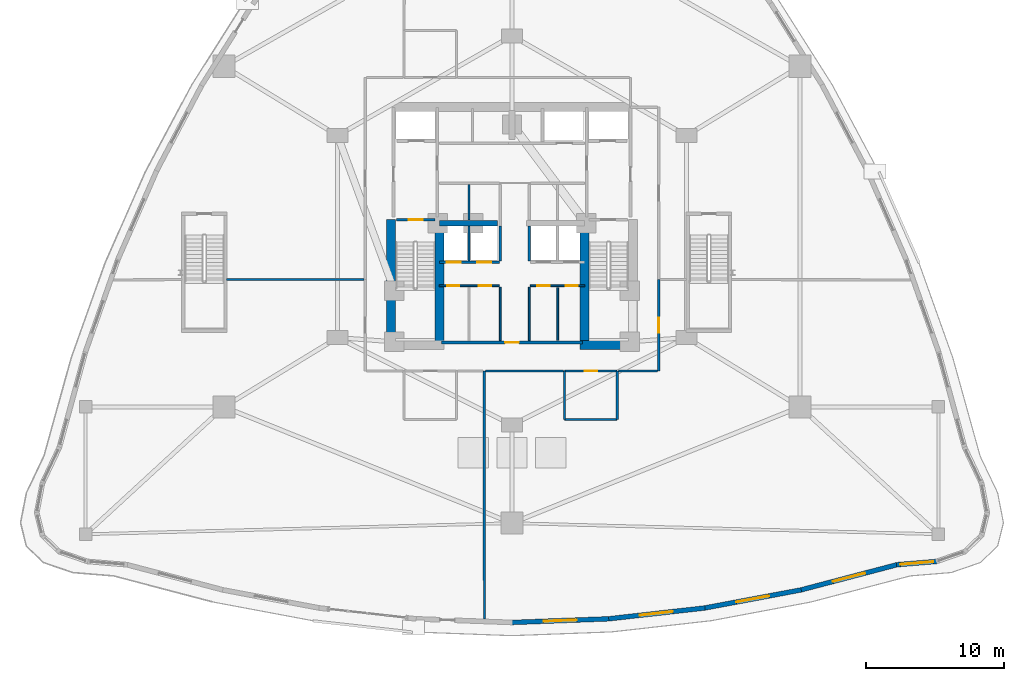
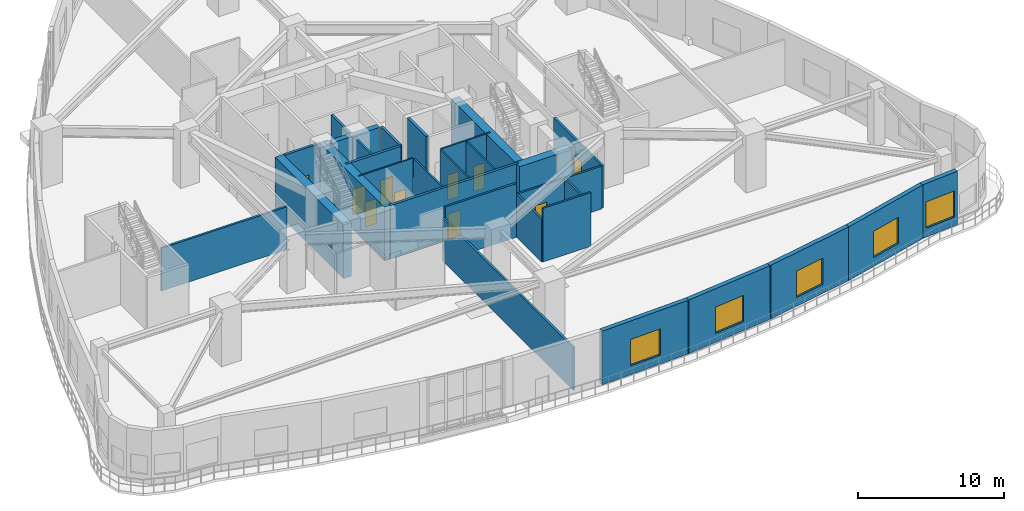
# One storey, part 16 of 23: 31 walls, 10 doors, 5 windows, 15 openings.
"""IFC4 building model written with IfcOpenShell, lengths in metres."""

from ifc_helpers import new_model, si_unit, direction, frame, frame_2d, origin, place, context, subcontext, project, spatial, rectangle, extrude, material, layer, layer_set, type_object, element, fill, save


model = new_model("IFC4")

# Units and contexts
model_context = context("Model", 3, precision=1e-05, world=origin(), true_north=direction((0.0, 1.0)))
body_context = subcontext(model_context, "Body", "Model", "MODEL_VIEW")
ifc_project = project(units=[si_unit("LENGTHUNIT", "METRE"), si_unit("AREAUNIT", "SQUARE_METRE"), si_unit("VOLUMEUNIT", "CUBIC_METRE"), si_unit("PLANEANGLEUNIT", "RADIAN"), si_unit("MASSUNIT", "GRAM", prefix="KILO")], contexts=[model_context])

# Site, building, storey
site_placement = place(None, origin())
site = spatial("IfcSite", under=ifc_project, at=site_placement, CompositionType="ELEMENT")
building_placement = place(site_placement, origin())
building = spatial("IfcBuilding", under=site, at=building_placement, Name="Miruveldt Soraemaru", CompositionType="ELEMENT")
storey_placement = place(building_placement, frame((0.0, 0.0, 9.60009765625)))
storey = spatial("IfcBuildingStorey", under=building, at=storey_placement, Name="L03", CompositionType="ELEMENT", Elevation=9.60009765625)

# Walls
ifc_material_1 = material(Name="Concrete C70/85 (70 MPa)", Category="concrete")
ifc_layer_1 = layer(ifc_material_1, 0.5, Name="Concrete C70/85 (70 MPa)", Category="concrete")
ifc_layer_set_1 = layer_set([ifc_layer_1], Name="Concrete C70/85 (70 MPa)")
wall_type_1 = type_object("IfcWallType", Name="WALL-BW-500", PredefinedType="SHEAR", material=ifc_layer_set_1)
wall_1_placement = place(storey_placement, frame((38.75, 44.050048828125, 0.0), z_axis=(0.0, 0.0, 1.0), x_axis=(1.0, 0.0, 0.0)))
element("IfcWall", 1, at=wall_1_placement, inside=storey, type_object=wall_type_1, Name="L03 Core Buttress Shear Wall BW", PredefinedType="SHEAR", context=body_context, shape_type="SweptSolid", body=[
    extrude(rectangle(XDim=4.199951171875, YDim=0.39990234375, at=frame_2d((2.10009765625, 0.0))), origin(), (0.0, 0.0, 1.0), 4.5),
])
ifc_material_2 = material(Name="Concrete C80/95 (80 MPa)", Category="concrete")
ifc_layer_2 = layer(ifc_material_2, 0.64990234375, Name="Concrete C80/95 (80 MPa)", Category="concrete")
ifc_layer_set_2 = layer_set([ifc_layer_2], Name="Concrete C80/95 (80 MPa)")
wall_type_2 = type_object("IfcWallType", Name="WALL-CW-650", PredefinedType="SHEAR", material=ifc_layer_set_2)
wall_2_placement = place(storey_placement, frame((48.89990234375, 35.27490234375, 0.0), z_axis=(0.0, 0.0, 1.0), x_axis=(1.0, 0.0, 0.0)))
element("IfcWall", 2, at=wall_2_placement, inside=storey, type_object=wall_type_2, Name="L03 Central Core Shear Wall S2", PredefinedType="SHEAR", context=body_context, shape_type="SweptSolid", body=[
    extrude(rectangle(XDim=4.150146484375, YDim=0.64990234375, at=frame_2d((2.0751953125, 0.0))), origin(), (0.0, 0.0, 1.0), 4.5),
])
wall_3_placement = place(storey_placement, frame((35.27490234375, 34.949951171875, 0.0), z_axis=(0.0, 0.0, 1.0), x_axis=(0.0, 1.0, 0.0)))
element("IfcWall", 3, at=wall_3_placement, inside=storey, type_object=wall_type_2, Name="L03 Central Core Shear Wall W1", PredefinedType="SHEAR", context=body_context, shape_type="SweptSolid", body=[
    extrude(rectangle(XDim=9.400146484375, YDim=0.64990234375, at=frame_2d((4.7001953125, 0.0))), origin(), (0.0, 0.0, 1.0), 4.5),
])
for number, where, z_axis, x_axis, name in (
    (4, (38.77490234375, 35.39990234375, 0.0), (0.0, 0.0, 1.0), (0.0, 1.0, 0.0), "L03 Central Core Shear Wall SW-INT"),
    (5, (49.22509765625, 35.39990234375, 0.0), (0.0, 0.0, 1.0), (0.0, 1.0, 0.0), "L03 Central Core Shear Wall SE-INT"),
):
    element("IfcWall", number, at=place(storey_placement, frame(where, z_axis=z_axis, x_axis=x_axis)), inside=storey, type_object=wall_type_2, Name=name, PredefinedType="SHEAR", context=body_context, shape_type="SweptSolid", body=[
        extrude(rectangle(XDim=8.9501953125, YDim=0.64990234375, at=frame_2d((4.47509765625, 0.0))), origin(), (0.0, 0.0, 1.0), 4.5),
    ])

# Wall, opening, window
ifc_material_3 = material(Name="Precast concrete C45/55 (45 MPa)", Category="concrete")
ifc_layer_3 = layer(ifc_material_3, 0.340087890625, Name="Precast concrete C45/55 (45 MPa)", Category="concrete")
ifc_layer_set_3 = layer_set([ifc_layer_3], Name="Precast concrete C45/55 (45 MPa)")
wall_type_3 = type_object("IfcWallType", Name="WALL-EXT-PC340", PredefinedType="SOLIDWALL", material=ifc_layer_set_3)
wall_4_placement = place(storey_placement, frame((43.965087890625, 15.226806640625, 0.0), z_axis=(0.0, 0.0, 1.0), x_axis=(0.999298607245, 0.037447210297, 0.0)))
wall_4 = element("IfcWall", 6, at=wall_4_placement, inside=storey, type_object=wall_type_3, Name="L03 Precast Concrete Facade Wall 25", PredefinedType="SOLIDWALL", context=body_context, shape_type="SweptSolid", body=[
    extrude(rectangle(XDim=7.028076171875, YDim=0.340087890625, at=frame_2d((3.51416015625, 0.0))), origin(), (0.0, 0.0, 1.0), 4.5),
])
opening_1_placement = place(wall_4_placement, frame((2.31396484375, 0.0, 0.75)))
opening_1 = element("IfcOpeningElement", 7, at=opening_1_placement, cuts=wall_4, Name="Opening WN-5", PredefinedType="OPENING", context=body_context, shape_type="SweptSolid", body=[
    extrude(rectangle(XDim=2.39990234375, YDim=2.199951171875, at=frame_2d((1.199951171875, 1.10009765625))), frame((0.0, 0.18017578125, 0.0), z_axis=(0.0, -1.0, 0.0), x_axis=(1.0, 0.0, 0.0)), (0.0, 0.0, 1.0), 0.360107421875),
])
ifc_material_4 = material(Name="Triple low-e insulated glazing", Category="glass")
window_type = type_object("IfcWindowType", Name="WIN-PODM-2400x2200", PartitioningType="SINGLE_PANEL", PredefinedType="WINDOW", material=ifc_material_4)
window_1_placement = place(opening_1_placement, origin())
window_1 = element("IfcWindow", 8, at=window_1_placement, inside=storey, type_object=window_type, Name="L03 Punched Triple-Glazed Window 25.1", OverallHeight=2.199951171875, OverallWidth=2.39990234375, PartitioningType="SINGLE_PANEL", PredefinedType="WINDOW", context=body_context, shape_type="SweptSolid", body=[
    extrude(rectangle(XDim=2.39990234375, YDim=2.199951171875, at=frame_2d((1.199951171875, 1.10009765625))), frame((0.0, 0.030029296875, 0.0), z_axis=(0.0, -1.0, 0.0), x_axis=(1.0, 0.0, 0.0)), (0.0, 0.0, 1.0), 0.06005859375),
])
fill(opening_1, window_1)

wall_5_placement = place(storey_placement, frame((50.91845703125, 15.48486328125, 0.0), z_axis=(0.0, 0.0, 1.0), x_axis=(0.993731987753, 0.111788803183, 0.0)))
wall_5 = element("IfcWall", 9, at=wall_5_placement, inside=storey, type_object=wall_type_3, Name="L03 Precast Concrete Facade Wall 26", PredefinedType="SOLIDWALL", context=body_context, shape_type="SweptSolid", body=[
    extrude(rectangle(XDim=7.067138671875, YDim=0.340087890625, at=frame_2d((3.53369140625, 0.0))), origin(), (0.0, 0.0, 1.0), 4.5),
])
opening_2_placement = place(wall_5_placement, frame((2.3330078125, 0.0, 0.75)))
opening_2 = element("IfcOpeningElement", 10, at=opening_2_placement, cuts=wall_5, Name="Opening WN-5", PredefinedType="OPENING", context=body_context, shape_type="SweptSolid", body=[
    extrude(rectangle(XDim=2.39990234375, YDim=2.199951171875, at=frame_2d((1.199951171875, 1.10009765625))), frame((0.0, 0.18017578125, 0.0), z_axis=(0.0, -1.0, 0.0), x_axis=(1.0, 0.0, 0.0)), (0.0, 0.0, 1.0), 0.360107421875),
])
window_2_placement = place(opening_2_placement, origin())
window_2 = element("IfcWindow", 11, at=window_2_placement, inside=storey, type_object=window_type, Name="L03 Punched Triple-Glazed Window 26.1", OverallHeight=2.199951171875, OverallWidth=2.39990234375, PartitioningType="SINGLE_PANEL", PredefinedType="WINDOW", context=body_context, shape_type="SweptSolid", body=[
    extrude(rectangle(XDim=2.39990234375, YDim=2.199951171875, at=frame_2d((1.199951171875, 1.10009765625))), frame((0.0, 0.030029296875, 0.0), z_axis=(0.0, -1.0, 0.0), x_axis=(1.0, 0.0, 0.0)), (0.0, 0.0, 1.0), 0.06005859375),
])
fill(opening_2, window_2)

wall_6_placement = place(storey_placement, frame((57.872314453125, 16.264404296875, 0.0), z_axis=(0.0, 0.0, 1.0), x_axis=(0.98286522281, 0.184325673174, 0.0)))
wall_6 = element("IfcWall", 12, at=wall_6_placement, inside=storey, type_object=wall_type_3, Name="L03 Precast Concrete Facade Wall 27", PredefinedType="SOLIDWALL", context=body_context, shape_type="SweptSolid", body=[
    extrude(rectangle(XDim=7.144287109375, YDim=0.340087890625, at=frame_2d((3.572265625, 0.0))), origin(), (0.0, 0.0, 1.0), 4.5),
])
opening_3_placement = place(wall_6_placement, frame((2.3720703125, 0.0, 0.75)))
opening_3 = element("IfcOpeningElement", 13, at=opening_3_placement, cuts=wall_6, Name="Opening WN-5", PredefinedType="OPENING", context=body_context, shape_type="SweptSolid", body=[
    extrude(rectangle(XDim=2.39990234375, YDim=2.199951171875, at=frame_2d((1.199951171875, 1.10009765625))), frame((0.0, 0.18017578125, 0.0), z_axis=(0.0, -1.0, 0.0), x_axis=(1.0, 0.0, 0.0)), (0.0, 0.0, 1.0), 0.360107421875),
])
window_3_placement = place(opening_3_placement, origin())
window_3 = element("IfcWindow", 14, at=window_3_placement, inside=storey, type_object=window_type, Name="L03 Punched Triple-Glazed Window 27.1", OverallHeight=2.199951171875, OverallWidth=2.39990234375, PartitioningType="SINGLE_PANEL", PredefinedType="WINDOW", context=body_context, shape_type="SweptSolid", body=[
    extrude(rectangle(XDim=2.39990234375, YDim=2.199951171875, at=frame_2d((1.199951171875, 1.10009765625))), frame((0.0, 0.030029296875, 0.0), z_axis=(0.0, -1.0, 0.0), x_axis=(1.0, 0.0, 0.0)), (0.0, 0.0, 1.0), 0.06005859375),
])
fill(opening_3, window_3)

wall_7_placement = place(storey_placement, frame((64.826171875, 17.56591796875, 0.0), z_axis=(0.0, 0.0, 1.0), x_axis=(0.967230758888, 0.253898915044, 0.0)))
wall_7 = element("IfcWall", 15, at=wall_7_placement, inside=storey, type_object=wall_type_3, Name="L03 Precast Concrete Facade Wall 28", PredefinedType="SOLIDWALL", context=body_context, shape_type="SweptSolid", body=[
    extrude(rectangle(XDim=7.2587890625, YDim=0.340087890625, at=frame_2d((3.62939453125, 0.0))), origin(), (0.0, 0.0, 1.0), 4.5),
])
opening_4_placement = place(wall_7_placement, frame((2.428955078125, 0.0, 0.75)))
opening_4 = element("IfcOpeningElement", 16, at=opening_4_placement, cuts=wall_7, Name="Opening WN-5", PredefinedType="OPENING", context=body_context, shape_type="SweptSolid", body=[
    extrude(rectangle(XDim=2.39990234375, YDim=2.199951171875, at=frame_2d((1.199951171875, 1.10009765625))), frame((0.0, 0.18017578125, 0.0), z_axis=(0.0, -1.0, 0.0), x_axis=(1.0, 0.0, 0.0)), (0.0, 0.0, 1.0), 0.360107421875),
])
window_4_placement = place(opening_4_placement, origin())
window_4 = element("IfcWindow", 17, at=window_4_placement, inside=storey, type_object=window_type, Name="L03 Punched Triple-Glazed Window 28.1", OverallHeight=2.199951171875, OverallWidth=2.39990234375, PartitioningType="SINGLE_PANEL", PredefinedType="WINDOW", context=body_context, shape_type="SweptSolid", body=[
    extrude(rectangle(XDim=2.39990234375, YDim=2.199951171875, at=frame_2d((1.199951171875, 1.10009765625))), frame((0.0, 0.030029296875, 0.0), z_axis=(0.0, -1.0, 0.0), x_axis=(1.0, 0.0, 0.0)), (0.0, 0.0, 1.0), 0.06005859375),
])
fill(opening_4, window_4)

wall_8_placement = place(storey_placement, frame((71.7783203125, 19.397216796875, 0.0), z_axis=(0.0, 0.0, 1.0), x_axis=(0.996619489458, 0.082155908085, 0.0)))
wall_8 = element("IfcWall", 18, at=wall_8_placement, inside=storey, type_object=wall_type_3, Name="L03 Precast Concrete Facade Wall 29", PredefinedType="SOLIDWALL", context=body_context, shape_type="SweptSolid", body=[
    extrude(rectangle(XDim=2.93017578125, YDim=0.340087890625, at=frame_2d((1.465087890625, 0.0))), origin(), (0.0, 0.0, 1.0), 4.5),
])
opening_5_placement = place(wall_8_placement, frame((0.264892578125, 0.0, 0.75)))
opening_5 = element("IfcOpeningElement", 19, at=opening_5_placement, cuts=wall_8, Name="Opening WN-5", PredefinedType="OPENING", context=body_context, shape_type="SweptSolid", body=[
    extrude(rectangle(XDim=2.39990234375, YDim=2.199951171875, at=frame_2d((1.199951171875, 1.10009765625))), frame((0.0, 0.18017578125, 0.0), z_axis=(0.0, -1.0, 0.0), x_axis=(1.0, 0.0, 0.0)), (0.0, 0.0, 1.0), 0.360107421875),
])
window_5_placement = place(opening_5_placement, origin())
window_5 = element("IfcWindow", 20, at=window_5_placement, inside=storey, type_object=window_type, Name="L03 Punched Triple-Glazed Window 29.1", OverallHeight=2.199951171875, OverallWidth=2.39990234375, PartitioningType="SINGLE_PANEL", PredefinedType="WINDOW", context=body_context, shape_type="SweptSolid", body=[
    extrude(rectangle(XDim=2.39990234375, YDim=2.199951171875, at=frame_2d((1.199951171875, 1.10009765625))), frame((0.0, 0.030029296875, 0.0), z_axis=(0.0, -1.0, 0.0), x_axis=(1.0, 0.0, 0.0)), (0.0, 0.0, 1.0), 0.06005859375),
])
fill(opening_5, window_5)

# Wall, openings, doors
ifc_material_5 = material(Name="Gypsum plasterboard lining", Category="gypsum")
ifc_layer_4 = layer(ifc_material_5, 0.1201171875, Name="Gypsum plasterboard lining", Category="gypsum")
ifc_layer_set_4 = layer_set([ifc_layer_4], Name="Gypsum plasterboard lining")
wall_type_4 = type_object("IfcWallType", Name="WALL-INT-P120", PredefinedType="PARTITIONING", material=ifc_layer_set_4)
wall_9_placement = place(storey_placement, frame((38.75, 39.550048828125, 0.0), z_axis=(0.0, 0.0, 1.0), x_axis=(1.0, 0.0, 0.0)))
wall_9 = element("IfcWall", 21, at=wall_9_placement, inside=storey, type_object=wall_type_4, Name="L03 Core Compartment Wall CSW-N", PredefinedType="PARTITIONING", context=body_context, shape_type="SweptSolid", body=[
    extrude(rectangle(XDim=4.330078125, YDim=0.1201171875, at=frame_2d((2.1650390625, 0.0))), origin(), (0.0, 0.0, 1.0), 4.5),
])
opening_6_placement = place(wall_9_placement, frame((0.56005859375, 0.0, 0.0)))
opening_6 = element("IfcOpeningElement", 22, at=opening_6_placement, cuts=wall_9, Name="Opening D4", PredefinedType="OPENING", context=body_context, shape_type="SweptSolid", body=[
    extrude(rectangle(XDim=0.8798828125, YDim=2.10009765625, at=frame_2d((0.43994140625, 1.050048828125))), frame((0.0, 0.070068359375, 0.0), z_axis=(0.0, -1.0, 0.0), x_axis=(1.0, 0.0, 0.0)), (0.0, 0.0, 1.0), 0.14013671875),
])
opening_7_placement = place(wall_9_placement, frame((2.860107421875, 0.0, 0.0)))
opening_7 = element("IfcOpeningElement", 23, at=opening_7_placement, cuts=wall_9, Name="Opening D4", PredefinedType="OPENING", context=body_context, shape_type="SweptSolid", body=[
    extrude(rectangle(XDim=0.8798828125, YDim=2.10009765625, at=frame_2d((0.43994140625, 1.050048828125))), frame((0.0, 0.070068359375, 0.0), z_axis=(0.0, -1.0, 0.0), x_axis=(1.0, 0.0, 0.0)), (0.0, 0.0, 1.0), 0.14013671875),
])
ifc_material_6 = material(Name="Anodised aluminium EN AW-6063 T6", Category="aluminium")
door_type_1 = type_object("IfcDoorType", Name="DOOR-INT-880", OperationType="NOTDEFINED", PredefinedType="DOOR", material=ifc_material_6)
door_1_placement = place(opening_6_placement, origin())
door_1 = element("IfcDoor", 24, at=door_1_placement, inside=storey, type_object=door_type_1, Name="L03 Fire Door", OperationType="SINGLE_SWING_LEFT", OverallHeight=2.10009765625, OverallWidth=0.8798828125, PredefinedType="DOOR", context=body_context, shape_type="SweptSolid", body=[
    extrude(rectangle(XDim=0.8798828125, YDim=2.10009765625, at=frame_2d((0.43994140625, 1.050048828125))), frame((0.0, 0.02490234375, 0.0), z_axis=(0.0, -1.0, 0.0), x_axis=(1.0, 0.0, 0.0)), (0.0, 0.0, 1.0), 0.050048828125),
])
fill(opening_6, door_1)
door_2_placement = place(opening_7_placement, origin())
door_2 = element("IfcDoor", 25, at=door_2_placement, inside=storey, type_object=door_type_1, Name="L03 Fire Door", OperationType="SINGLE_SWING_LEFT", OverallHeight=2.10009765625, OverallWidth=0.8798828125, PredefinedType="DOOR", context=body_context, shape_type="SweptSolid", body=[
    extrude(rectangle(XDim=0.8798828125, YDim=2.10009765625, at=frame_2d((0.43994140625, 1.050048828125))), frame((0.0, 0.02490234375, 0.0), z_axis=(0.0, -1.0, 0.0), x_axis=(1.0, 0.0, 0.0)), (0.0, 0.0, 1.0), 0.050048828125),
])
fill(opening_7, door_2)

wall_10_placement = place(storey_placement, frame((45.320068359375, 39.550048828125, 0.0), z_axis=(0.0, 0.0, 1.0), x_axis=(1.0, 0.0, 0.0)))
wall_10 = element("IfcWall", 26, at=wall_10_placement, inside=storey, type_object=wall_type_4, Name="L03 Core Compartment Wall CSE-N", PredefinedType="PARTITIONING", context=body_context, shape_type="SweptSolid", body=[
    extrude(rectangle(XDim=3.929931640625, YDim=0.1201171875, at=frame_2d((1.96484375, 0.0))), origin(), (0.0, 0.0, 1.0), 4.5),
])
opening_8_placement = place(wall_10_placement, frame((0.510009765625, 0.0, 0.0)))
opening_8 = element("IfcOpeningElement", 27, at=opening_8_placement, cuts=wall_10, Name="Opening D4", PredefinedType="OPENING", context=body_context, shape_type="SweptSolid", body=[
    extrude(rectangle(XDim=0.8798828125, YDim=2.10009765625, at=frame_2d((0.43994140625, 1.050048828125))), frame((0.0, 0.070068359375, 0.0), z_axis=(0.0, -1.0, 0.0), x_axis=(1.0, 0.0, 0.0)), (0.0, 0.0, 1.0), 0.14013671875),
])
opening_9_placement = place(wall_10_placement, frame((2.56005859375, 0.0, 0.0)))
opening_9 = element("IfcOpeningElement", 28, at=opening_9_placement, cuts=wall_10, Name="Opening D4", PredefinedType="OPENING", context=body_context, shape_type="SweptSolid", body=[
    extrude(rectangle(XDim=0.8798828125, YDim=2.10009765625, at=frame_2d((0.43994140625, 1.050048828125))), frame((0.0, 0.070068359375, 0.0), z_axis=(0.0, -1.0, 0.0), x_axis=(1.0, 0.0, 0.0)), (0.0, 0.0, 1.0), 0.14013671875),
])
door_3_placement = place(opening_8_placement, origin())
door_3 = element("IfcDoor", 29, at=door_3_placement, inside=storey, type_object=door_type_1, Name="L03 Fire Door", OperationType="SINGLE_SWING_LEFT", OverallHeight=2.10009765625, OverallWidth=0.8798828125, PredefinedType="DOOR", context=body_context, shape_type="SweptSolid", body=[
    extrude(rectangle(XDim=0.8798828125, YDim=2.10009765625, at=frame_2d((0.43994140625, 1.050048828125))), frame((0.0, 0.02490234375, 0.0), z_axis=(0.0, -1.0, 0.0), x_axis=(1.0, 0.0, 0.0)), (0.0, 0.0, 1.0), 0.050048828125),
])
fill(opening_8, door_3)
door_4_placement = place(opening_9_placement, origin())
door_4 = element("IfcDoor", 30, at=door_4_placement, inside=storey, type_object=door_type_1, Name="L03 Fire Door", OperationType="SINGLE_SWING_LEFT", OverallHeight=2.10009765625, OverallWidth=0.8798828125, PredefinedType="DOOR", context=body_context, shape_type="SweptSolid", body=[
    extrude(rectangle(XDim=0.8798828125, YDim=2.10009765625, at=frame_2d((0.43994140625, 1.050048828125))), frame((0.0, 0.02490234375, 0.0), z_axis=(0.0, -1.0, 0.0), x_axis=(1.0, 0.0, 0.0)), (0.0, 0.0, 1.0), 0.050048828125),
])
fill(opening_9, door_4)

# Walls
for number, where, z_axis, x_axis, name in (
    (31, (43.14990234375, 35.580078125, 0.0), (0.0, 0.0, 1.0), (0.0, 1.0, 0.0), "L03 Core Compartment Wall SP-WS"),
    (32, (45.25, 35.580078125, 0.0), (0.0, 0.0, 1.0), (0.0, 1.0, 0.0), "L03 Core Compartment Wall SP-ES"),
):
    element("IfcWall", number, at=place(storey_placement, frame(where, z_axis=z_axis, x_axis=x_axis)), inside=storey, type_object=wall_type_4, Name=name, PredefinedType="PARTITIONING", context=body_context, shape_type="SweptSolid", body=[
        extrude(rectangle(XDim=3.869873046875, YDim=0.1201171875, at=frame_2d((1.93505859375, 0.0))), origin(), (0.0, 0.0, 1.0), 4.5),
    ])
wall_11_placement = place(storey_placement, frame((47.300048828125, 35.60009765625, 0.0), z_axis=(0.0, 0.0, 1.0), x_axis=(0.0, 1.0, 0.0)))
element("IfcWall", 33, at=wall_11_placement, inside=storey, type_object=wall_type_4, Name="L03 Core Compartment Wall CE2-V", PredefinedType="PARTITIONING", context=body_context, shape_type="SweptSolid", body=[
    extrude(rectangle(XDim=3.81982421875, YDim=0.1201171875, at=frame_2d((1.909912109375, 0.0))), origin(), (0.0, 0.0, 1.0), 4.5),
])

# Wall, opening, door
ifc_layer_5 = layer(ifc_material_5, 0.14990234375, Name="Gypsum plasterboard lining", Category="gypsum")
ifc_layer_set_5 = layer_set([ifc_layer_5], Name="Gypsum plasterboard lining")
wall_type_5 = type_object("IfcWallType", Name="WALL-INT-PLUMB", PredefinedType="PLUMBINGWALL", material=ifc_layer_set_5)
wall_12_placement = place(storey_placement, frame((47.800048828125, 33.39990234375, 0.0), z_axis=(0.0, 0.0, 1.0), x_axis=(1.0, 0.0, 0.0)))
wall_12 = element("IfcWall", 34, at=wall_12_placement, inside=storey, type_object=wall_type_5, Name="L03 Partition Wall 3", PredefinedType="PLUMBINGWALL", context=body_context, shape_type="SweptSolid", body=[
    extrude(rectangle(XDim=3.800048828125, YDim=0.14990234375, at=frame_2d((1.89990234375, 0.0))), origin(), (0.0, 0.0, 1.0), 3.587890625),
])
opening_10_placement = place(wall_12_placement, frame((1.449951171875, 0.0, 0.0)))
opening_10 = element("IfcOpeningElement", 35, at=opening_10_placement, cuts=wall_12, Name="Opening D3", PredefinedType="OPENING", context=body_context, shape_type="SweptSolid", body=[
    extrude(rectangle(XDim=0.89990234375, YDim=2.10009765625, at=frame_2d((0.449951171875, 1.050048828125))), frame((0.0, 0.0849609375, 0.0), z_axis=(0.0, -1.0, 0.0), x_axis=(1.0, 0.0, 0.0)), (0.0, 0.0, 1.0), 0.169921875),
])
door_type_2 = type_object("IfcDoorType", Name="DOOR-INT-900", OperationType="NOTDEFINED", PredefinedType="DOOR", material=ifc_material_6)
door_5_placement = place(opening_10_placement, origin())
door_5 = element("IfcDoor", 36, at=door_5_placement, inside=storey, type_object=door_type_2, Name="L03 Accessible WC Door", OperationType="SINGLE_SWING_LEFT", OverallHeight=2.10009765625, OverallWidth=0.89990234375, PredefinedType="DOOR", context=body_context, shape_type="SweptSolid", body=[
    extrude(rectangle(XDim=0.89990234375, YDim=2.10009765625, at=frame_2d((0.449951171875, 1.050048828125))), frame((0.0, 0.02490234375, 0.0), z_axis=(0.0, -1.0, 0.0), x_axis=(1.0, 0.0, 0.0)), (0.0, 0.0, 1.0), 0.050048828125),
])
fill(opening_10, door_5)

# Walls
wall_13_placement = place(storey_placement, frame((47.800048828125, 29.89990234375, 0.0), z_axis=(0.0, 0.0, 1.0), x_axis=(1.0, 0.0, 0.0)))
element("IfcWall", 37, at=wall_13_placement, inside=storey, type_object=wall_type_5, Name="L03 Partition Wall 23", PredefinedType="PLUMBINGWALL", context=body_context, shape_type="SweptSolid", body=[
    extrude(rectangle(XDim=3.800048828125, YDim=0.14990234375, at=frame_2d((1.89990234375, 0.0))), origin(), (0.0, 0.0, 1.0), 4.5),
])
for number, where, z_axis, x_axis, name in (
    (38, (47.800048828125, 33.39990234375, 0.0), (0.0, 0.0, 1.0), (0.0, -1.0, 0.0), "L03 Partition Wall 22"),
    (39, (51.60009765625, 29.89990234375, 0.0), (0.0, 0.0, 1.0), (0.0, 1.0, 0.0), "L03 Partition Wall 24"),
):
    element("IfcWall", number, at=place(storey_placement, frame(where, z_axis=z_axis, x_axis=x_axis)), inside=storey, type_object=wall_type_5, Name=name, PredefinedType="PLUMBINGWALL", context=body_context, shape_type="SweptSolid", body=[
        extrude(rectangle(XDim=3.5, YDim=0.14990234375, at=frame_2d((1.75, 0.0))), origin(), (0.0, 0.0, 1.0), 3.587890625),
    ])

# Wall, opening, door
ifc_material_7 = material(Name="Concrete C40/50 (40 MPa)", Category="concrete")
ifc_layer_6 = layer(ifc_material_7, 0.159912109375, Name="Concrete C40/50 (40 MPa)", Category="concrete")
ifc_layer_set_6 = layer_set([ifc_layer_6], Name="Concrete C40/50 (40 MPa)")
wall_type_6 = type_object("IfcWallType", Name="WALL-INT-RC160", PredefinedType="SOLIDWALL", material=ifc_layer_set_6)
wall_14_placement = place(storey_placement, frame((54.60009765625, 33.39990234375, 0.0), z_axis=(0.0, 0.0, 1.0), x_axis=(0.0, 1.0, 0.0)))
wall_14 = element("IfcWall", 40, at=wall_14_placement, inside=storey, type_object=wall_type_6, Name="L03 Partition Wall 9", PredefinedType="SOLIDWALL", context=body_context, shape_type="SweptSolid", body=[
    extrude(rectangle(XDim=6.60009765625, YDim=0.159912109375, at=frame_2d((3.300048828125, 0.0))), origin(), (0.0, 0.0, 1.0), 3.587890625),
])
opening_11_placement = place(wall_14_placement, frame((2.75, 0.0, 0.0)))
opening_11 = element("IfcOpeningElement", 41, at=opening_11_placement, cuts=wall_14, Name="Opening FD1A", PredefinedType="OPENING", context=body_context, shape_type="SweptSolid", body=[
    extrude(rectangle(XDim=1.10009765625, YDim=2.14990234375, at=frame_2d((0.550048828125, 1.074951171875))), frame((0.0, 0.08984375, 0.0), z_axis=(0.0, -1.0, 0.0), x_axis=(1.0, 0.0, 0.0)), (0.0, 0.0, 1.0), 0.179931640625),
])
door_type_3 = type_object("IfcDoorType", Name="DOOR-FD1-1100", OperationType="NOTDEFINED", PredefinedType="DOOR", material=ifc_material_6)
door_6_placement = place(opening_11_placement, origin())
door_6 = element("IfcDoor", 42, at=door_6_placement, inside=storey, type_object=door_type_3, Name="L03 Senior Citizens Community Lounge Entrance Door", OperationType="SINGLE_SWING_LEFT", OverallHeight=2.14990234375, OverallWidth=1.10009765625, PredefinedType="DOOR", context=body_context, shape_type="SweptSolid", body=[
    extrude(rectangle(XDim=1.10009765625, YDim=2.14990234375, at=frame_2d((0.550048828125, 1.074951171875))), frame((0.0, 0.02490234375, 0.0), z_axis=(0.0, -1.0, 0.0), x_axis=(1.0, 0.0, 0.0)), (0.0, 0.0, 1.0), 0.050048828125),
])
fill(opening_11, door_6)

# Walls
wall_15_placement = place(storey_placement, frame((42.00390625, 15.488037109375, 0.0), z_axis=(0.0, 0.0, 1.0), x_axis=(-0.000218081694, 0.99999997622, 0.0)))
element("IfcWall", 43, at=wall_15_placement, inside=storey, type_object=wall_type_6, Name="L03 Partition Wall 25", PredefinedType="SOLIDWALL", context=body_context, shape_type="SweptSolid", body=[
    extrude(rectangle(XDim=17.911865234375, YDim=0.159912109375, at=frame_2d((8.9560546875, 0.0))), origin(), (0.0, 0.0, 1.0), 3.587890625),
])
wall_16_placement = place(storey_placement, frame((33.320068359375, 40.0, 0.0), z_axis=(0.0, 0.0, 1.0), x_axis=(-1.0, 0.0, 0.0)))
element("IfcWall", 44, at=wall_16_placement, inside=storey, type_object=wall_type_6, Name="L03 Partition Wall 26", PredefinedType="SOLIDWALL", context=body_context, shape_type="SweptSolid", body=[
    extrude(rectangle(XDim=9.940185546875, YDim=0.159912109375, at=frame_2d((4.97021484375, 0.0))), origin(), (0.0, 0.0, 1.0), 3.587890625),
])
wall_17_placement = place(storey_placement, frame((42.080078125, 33.39990234375, 0.0), z_axis=(0.0, 0.0, 1.0), x_axis=(1.0, 0.0, 0.0)))
element("IfcWall", 45, at=wall_17_placement, inside=storey, type_object=wall_type_6, Name="L03 Partition Wall 7", PredefinedType="SOLIDWALL", context=body_context, shape_type="SweptSolid", body=[
    extrude(rectangle(XDim=5.639892578125, YDim=0.159912109375, at=frame_2d((2.81982421875, 0.0))), origin(), (0.0, 0.0, 1.0), 4.5),
])
wall_18_placement = place(storey_placement, frame((51.679931640625, 33.39990234375, 0.0), z_axis=(0.0, 0.0, 1.0), x_axis=(1.0, 0.0, 0.0)))
element("IfcWall", 46, at=wall_18_placement, inside=storey, type_object=wall_type_6, Name="L03 Partition Wall 8", PredefinedType="SOLIDWALL", context=body_context, shape_type="SweptSolid", body=[
    extrude(rectangle(XDim=2.840087890625, YDim=0.159912109375, at=frame_2d((1.419921875, 0.0))), origin(), (0.0, 0.0, 1.0), 3.587890625),
])
wall_19_placement = place(storey_placement, frame((40.89990234375, 44.300048828125, 0.0), z_axis=(0.0, 0.0, 1.0), x_axis=(0.0, 1.0, 0.0)))
element("IfcWall", 47, at=wall_19_placement, inside=storey, type_object=wall_type_6, Name="L03 Core Compartment Wall PLM-DW", PredefinedType="SOLIDWALL", context=body_context, shape_type="SweptSolid", body=[
    extrude(rectangle(XDim=2.550048828125, YDim=0.159912109375, at=frame_2d((1.27490234375, 0.0))), origin(), (0.0, 0.0, 1.0), 4.5),
])
wall_20_placement = place(storey_placement, frame((40.89990234375, 41.320068359375, 0.0), z_axis=(0.0, 0.0, 1.0), x_axis=(0.0, 1.0, 0.0)))
element("IfcWall", 48, at=wall_20_placement, inside=storey, type_object=wall_type_6, Name="L03 Core Compartment Wall PLL-DW", PredefinedType="SOLIDWALL", context=body_context, shape_type="SweptSolid", body=[
    extrude(rectangle(XDim=2.530029296875, YDim=0.159912109375, at=frame_2d((1.26513671875, 0.0))), origin(), (0.0, 0.0, 1.0), 4.5),
])

# Wall, opening, door
ifc_layer_7 = layer(ifc_material_7, 0.199951171875, Name="Concrete C40/50 (40 MPa)", Category="concrete")
ifc_layer_set_7 = layer_set([ifc_layer_7], Name="Concrete C40/50 (40 MPa)")
wall_type_7 = type_object("IfcWallType", Name="WALL-INT-RC200", PredefinedType="SOLIDWALL", material=ifc_layer_set_7)
wall_21_placement = place(storey_placement, frame((38.89990234375, 35.449951171875, 0.0), z_axis=(0.0, 0.0, 1.0), x_axis=(1.0, 0.0, 0.0)))
wall_21 = element("IfcWall", 49, at=wall_21_placement, inside=storey, type_object=wall_type_7, Name="L03 Core Compartment Wall CS-S", PredefinedType="SOLIDWALL", context=body_context, shape_type="SweptSolid", body=[
    extrude(rectangle(XDim=10.2001953125, YDim=0.199951171875, at=frame_2d((5.10009765625, 0.0))), origin(), (0.0, 0.0, 1.0), 4.5),
])
opening_12_placement = place(wall_21_placement, frame((4.60009765625, 0.0, 0.0)))
opening_12 = element("IfcOpeningElement", 50, at=opening_12_placement, cuts=wall_21, Name="Opening FD1", PredefinedType="OPENING", context=body_context, shape_type="SweptSolid", body=[
    extrude(rectangle(XDim=1.0, YDim=2.14990234375, at=frame_2d((0.5, 1.074951171875))), frame((0.0, 0.10986328125, 0.0), z_axis=(0.0, -1.0, 0.0), x_axis=(1.0, 0.0, 0.0)), (0.0, 0.0, 1.0), 0.219970703125),
])
door_type_4 = type_object("IfcDoorType", Name="DOOR-FD1-1000", OperationType="NOTDEFINED", PredefinedType="DOOR", material=ifc_material_6)
door_7_placement = place(opening_12_placement, origin())
door_7 = element("IfcDoor", 51, at=door_7_placement, inside=storey, type_object=door_type_4, Name="L03 Core South Lobby Fire Door", OperationType="SINGLE_SWING_LEFT", OverallHeight=2.14990234375, OverallWidth=1.0, PredefinedType="DOOR", context=body_context, shape_type="SweptSolid", body=[
    extrude(rectangle(XDim=1.0, YDim=2.14990234375, at=frame_2d((0.5, 1.074951171875))), frame((0.0, 0.02490234375, 0.0), z_axis=(0.0, -1.0, 0.0), x_axis=(1.0, 0.0, 0.0)), (0.0, 0.0, 1.0), 0.050048828125),
])
fill(opening_12, door_7)

# Wall, openings, doors
wall_22_placement = place(storey_placement, frame((38.75, 41.25, 0.0), z_axis=(0.0, 0.0, 1.0), x_axis=(1.0, 0.0, 0.0)))
wall_22 = element("IfcWall", 52, at=wall_22_placement, inside=storey, type_object=wall_type_7, Name="L03 Core Compartment Wall LBW-S", PredefinedType="SOLIDWALL", context=body_context, shape_type="SweptSolid", body=[
    extrude(rectangle(XDim=4.330078125, YDim=0.199951171875, at=frame_2d((2.1650390625, 0.0))), origin(), (0.0, 0.0, 1.0), 4.5),
])
opening_13_placement = place(wall_22_placement, frame((0.550048828125, 0.0, 0.0)))
opening_13 = element("IfcOpeningElement", 53, at=opening_13_placement, cuts=wall_22, Name="Opening LD1B", PredefinedType="OPENING", context=body_context, shape_type="SweptSolid", body=[
    extrude(rectangle(XDim=1.0, YDim=2.14990234375, at=frame_2d((0.5, 1.074951171875))), frame((0.0, 0.10986328125, 0.0), z_axis=(0.0, -1.0, 0.0), x_axis=(1.0, 0.0, 0.0)), (0.0, 0.0, 1.0), 0.219970703125),
])
opening_14_placement = place(wall_22_placement, frame((2.75, 0.0, 0.0)))
opening_14 = element("IfcOpeningElement", 54, at=opening_14_placement, cuts=wall_22, Name="Opening LD1B", PredefinedType="OPENING", context=body_context, shape_type="SweptSolid", body=[
    extrude(rectangle(XDim=1.0, YDim=2.14990234375, at=frame_2d((0.5, 1.074951171875))), frame((0.0, 0.10986328125, 0.0), z_axis=(0.0, -1.0, 0.0), x_axis=(1.0, 0.0, 0.0)), (0.0, 0.0, 1.0), 0.219970703125),
])
door_type_5 = type_object("IfcDoorType", Name="DOOR-LD1-1000", OperationType="SLIDING_TO_LEFT", PredefinedType="DOOR", material=ifc_material_6)
door_8_placement = place(opening_13_placement, frame((1.0, 0.0, 0.0), z_axis=(0.0, 0.0, 1.0), x_axis=(-1.0, 0.0, 0.0)))
door_8 = element("IfcDoor", 55, at=door_8_placement, inside=storey, type_object=door_type_5, Name="L03 PL-L1 Landing Door", OperationType="SLIDING_TO_LEFT", OverallHeight=2.14990234375, OverallWidth=1.0, PredefinedType="DOOR", context=body_context, shape_type="SweptSolid", body=[
    extrude(rectangle(XDim=1.0, YDim=2.14990234375, at=frame_2d((0.5, 1.074951171875))), frame((0.0, 0.02490234375, 0.0), z_axis=(0.0, -1.0, 0.0), x_axis=(1.0, 0.0, 0.0)), (0.0, 0.0, 1.0), 0.050048828125),
])
fill(opening_13, door_8)
door_9_placement = place(opening_14_placement, frame((1.0, 0.0, 0.0), z_axis=(0.0, 0.0, 1.0), x_axis=(-1.0, 0.0, 0.0)))
door_9 = element("IfcDoor", 56, at=door_9_placement, inside=storey, type_object=door_type_5, Name="L03 PL-L2 Landing Door", OperationType="SLIDING_TO_LEFT", OverallHeight=2.14990234375, OverallWidth=1.0, PredefinedType="DOOR", context=body_context, shape_type="SweptSolid", body=[
    extrude(rectangle(XDim=1.0, YDim=2.14990234375, at=frame_2d((0.5, 1.074951171875))), frame((0.0, 0.02490234375, 0.0), z_axis=(0.0, -1.0, 0.0), x_axis=(1.0, 0.0, 0.0)), (0.0, 0.0, 1.0), 0.050048828125),
])
fill(opening_14, door_9)

# Wall, opening, door
wall_23_placement = place(storey_placement, frame((35.64990234375, 44.320068359375, 0.0), z_axis=(0.0, 0.0, 1.0), x_axis=(1.0, 0.0, 0.0)))
wall_23 = element("IfcWall", 57, at=wall_23_placement, inside=storey, type_object=wall_type_7, Name="L03 Core Compartment Wall ST1-N", PredefinedType="SOLIDWALL", context=body_context, shape_type="SweptSolid", body=[
    extrude(rectangle(XDim=2.800048828125, YDim=0.199951171875, at=frame_2d((1.39990234375, 0.0))), origin(), (0.0, 0.0, 1.0), 4.5),
])
opening_15_placement = place(wall_23_placement, frame((0.89990234375, 0.0, 0.0)))
opening_15 = element("IfcOpeningElement", 58, at=opening_15_placement, cuts=wall_23, Name="Opening FD1", PredefinedType="OPENING", context=body_context, shape_type="SweptSolid", body=[
    extrude(rectangle(XDim=1.0, YDim=2.14990234375, at=frame_2d((0.5, 1.074951171875))), frame((0.0, 0.10986328125, 0.0), z_axis=(0.0, -1.0, 0.0), x_axis=(1.0, 0.0, 0.0)), (0.0, 0.0, 1.0), 0.219970703125),
])
door_10_placement = place(opening_15_placement, frame((1.0, 0.0, 0.0), z_axis=(0.0, 0.0, 1.0), x_axis=(-1.0, 0.0, 0.0)))
door_10 = element("IfcDoor", 59, at=door_10_placement, inside=storey, type_object=door_type_4, Name="L03 Stair ST-1 Fire Door", OperationType="SINGLE_SWING_LEFT", OverallHeight=2.14990234375, OverallWidth=1.0, PredefinedType="DOOR", context=body_context, shape_type="SweptSolid", body=[
    extrude(rectangle(XDim=1.0, YDim=2.14990234375, at=frame_2d((0.5, 1.074951171875))), frame((0.0, 0.02490234375, 0.0), z_axis=(0.0, -1.0, 0.0), x_axis=(1.0, 0.0, 0.0)), (0.0, 0.0, 1.0), 0.050048828125),
])
fill(opening_15, door_10)

# Walls
for number, where, z_axis, x_axis, name in (
    (60, (43.14990234375, 41.320068359375, 0.0), (0.0, 0.0, 1.0), (0.0, 1.0, 0.0), "L03 Core Compartment Wall SP-WC"),
    (61, (45.25, 41.320068359375, 0.0), (0.0, 0.0, 1.0), (0.0, 1.0, 0.0), "L03 Core Compartment Wall SP-EC"),
):
    element("IfcWall", number, at=place(storey_placement, frame(where, z_axis=z_axis, x_axis=x_axis)), inside=storey, type_object=wall_type_7, Name=name, PredefinedType="SOLIDWALL", context=body_context, shape_type="SweptSolid", body=[
        extrude(rectangle(XDim=2.559814453125, YDim=0.199951171875, at=frame_2d((1.27978515625, 0.0))), origin(), (0.0, 0.0, 1.0), 4.5),
    ])

save(model, "model.ifc")
